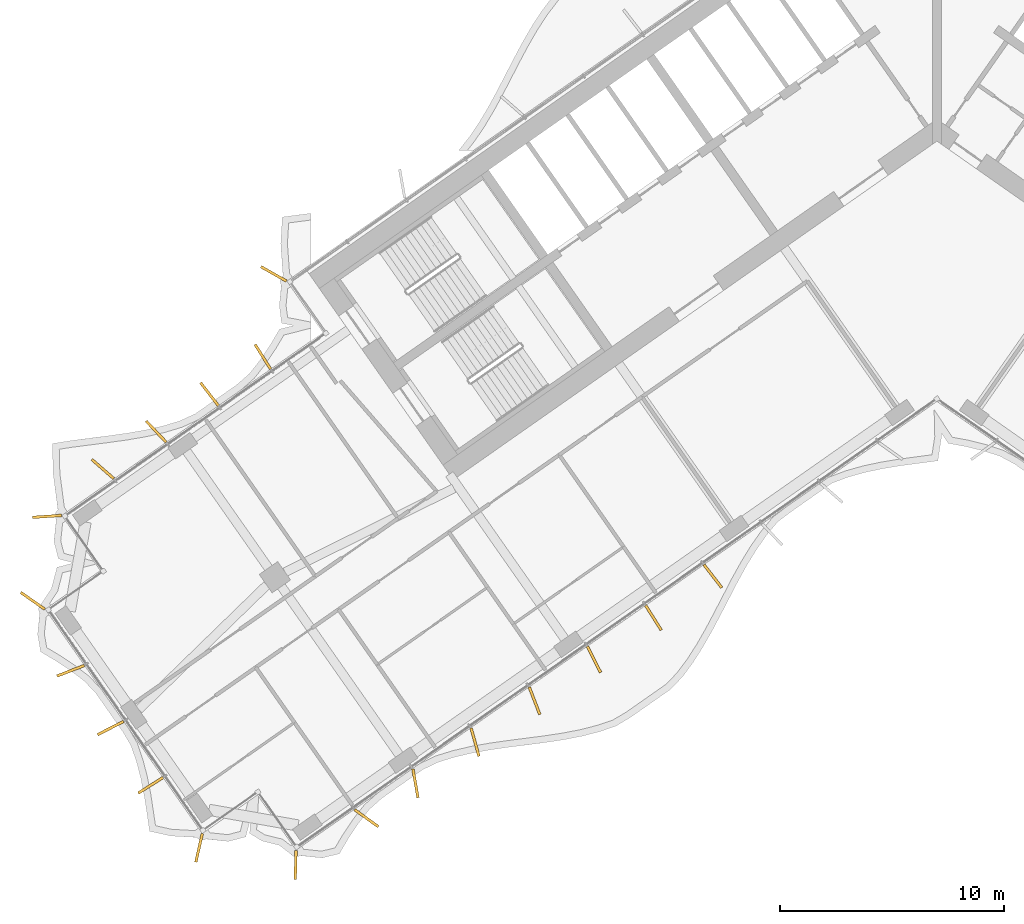
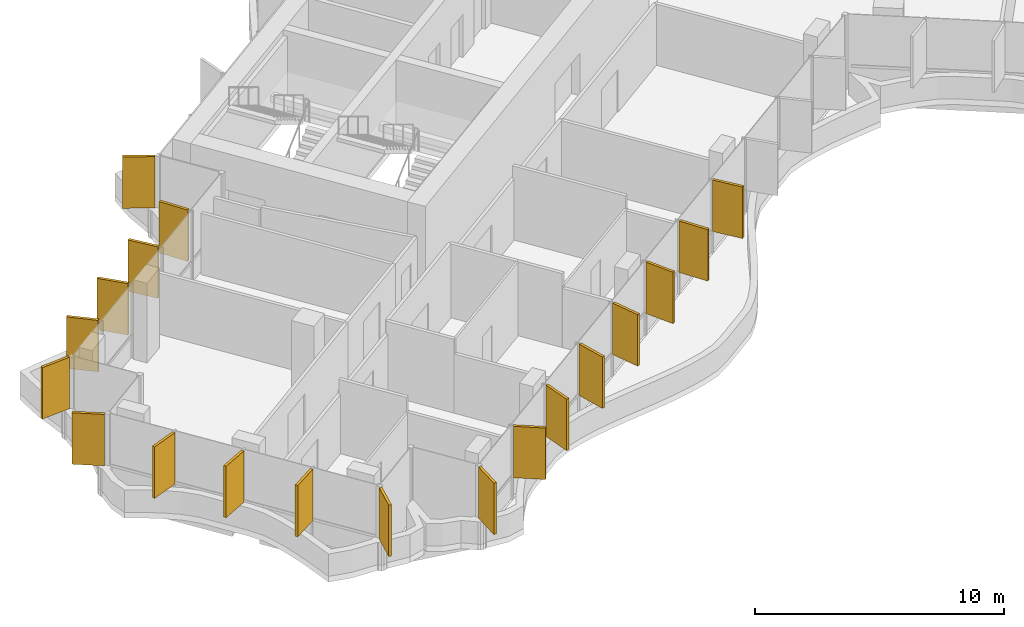
# One storey, part 17 of 21: 19 shading devices.
"""IFC4 building model written with IfcOpenShell, lengths in metres."""

from ifc_helpers import new_model, si_unit, direction, frame, origin, origin_2d, place, context, subcontext, project, spatial, rectangle, extrude, material, layer, layer_set, type_object, element, save


model = new_model("IFC4")

# Units and contexts
model_context = context("Model", 3, precision=1e-05, world=origin(), true_north=direction((0.0, 1.0)))
body_context = subcontext(model_context, "Body", "Model", "MODEL_VIEW")
ifc_project = project(units=[si_unit("LENGTHUNIT", "METRE"), si_unit("AREAUNIT", "SQUARE_METRE"), si_unit("VOLUMEUNIT", "CUBIC_METRE"), si_unit("PLANEANGLEUNIT", "RADIAN"), si_unit("MASSUNIT", "GRAM", prefix="KILO")], contexts=[model_context])

# Site, building, storey
site_placement = place(None, origin())
site = spatial("IfcSite", under=ifc_project, at=site_placement, CompositionType="ELEMENT")
building_placement = place(site_placement, origin())
building = spatial("IfcBuilding", under=site, at=building_placement, Name="Tel Ilan Convention Tower", CompositionType="ELEMENT")
storey_placement = place(building_placement, frame((0.0, 0.0, 139.800048828125)))
storey = spatial("IfcBuildingStorey", under=building, at=storey_placement, Name="L31", CompositionType="ELEMENT", Elevation=139.800048828125)

# Shading devices
ifc_material = material(Name="Aluminium, bronze anodised", Category="aluminium")
ifc_layer = layer(ifc_material, 0.1201171875)
ifc_layer_set = layer_set([ifc_layer], Name="FIN BRONZE 1300x120")
shading_device_type = type_object("IfcShadingDeviceType", Name="FIN BRONZE 1300x120", PredefinedType="USERDEFINED", material=ifc_layer_set)
for number, where, z_axis, x_axis, name in (
    (1, (-29.5439453125, -7.13623046875, 1.099853515625), (0.0, 0.0, 1.0), (-0.870832754082, 0.491579408049, 0.0), "FIN"),
    (2, (-30.027099609375, -10.829833984375, 1.099853515625), (0.0, 0.0, 1.0), (-0.533204432798, 0.845986425922, 0.0), "FIN"),
    (3, (-32.405029296875, -12.494873046875, 1.099853515625), (0.0, 0.0, 1.0), (-0.612600545196, 0.790392669516, 0.0), "FIN"),
    (4, (-34.78271484375, -14.159912109375, 1.099853515625), (0.0, 0.0, 1.0), (-0.686241637865, 0.727373641577, 0.0), "FIN"),
    (5, (-37.156005859375, -15.829833984375, 1.099853515625), (0.0, 0.0, 1.0), (-0.753435896329, 0.657521368568, 0.0), "FIN"),
    (6, (-39.64697265625, -17.939208984375, 1.099853515625), (0.0, 0.0, 1.0), (-0.997697449973, -0.067821812994, 0.0), "FIN"),
    (7, (-40.2783203125, -21.698486328125, 1.099853515625), (0.0, 0.0, 1.0), (-0.819152044289, 0.573576436351, 0.0), "FIN"),
    (8, (-38.58984375, -24.816162109375, 1.099853515625), (0.0, 0.0, 1.0), (-0.932883704733, -0.360177724803, 0.0), "FIN"),
    (9, (-36.810302734375, -27.368896484375, 1.099853515625), (0.0, 0.0, 1.0), (-0.893632640321, -0.448799180206, 0.0), "FIN"),
    (10, (-35.025146484375, -29.9189453125, 1.099853515625), (0.0, 0.0, 1.0), (-0.845986425922, -0.533204432798, 0.0), "FIN"),
    (11, (-32.867919921875, -32.70556640625, 1.099853515625), (0.0, 0.0, 1.0), (-0.221170268371, -0.975235208752, 0.0), "FIN"),
    (12, (-28.56591796875, -33.4638671875, 1.099853515625), (0.0, 0.0, 1.0), (-0.029084718749, -0.999576950082, 0.0), "FIN"),
    (13, (-25.41064453125, -31.3828125, 1.099853515625), (0.0, 0.0, 1.0), (0.813552070258, -0.581492071294, 0.0), "FIN"),
    (14, (-23.228515625, -29.832275390625, 1.099853515625), (0.0, 0.0, 1.0), (0.173648177667, -0.984807753012, 0.0), "FIN"),
    (15, (-20.574951171875, -27.996826171875, 1.099853515625), (0.0, 0.0, 1.0), (0.268172612768, -0.963370878614, 0.0), "FIN"),
    (16, (-17.92333984375, -26.155517578125, 1.099853515625), (0.0, 0.0, 1.0), (0.360177724803, -0.932883704733, 0.0), "FIN"),
    (17, (-15.27392578125, -24.30810546875, 1.099853515625), (0.0, 0.0, 1.0), (0.448799180206, -0.893632640321, 0.0), "FIN"),
    (18, (-12.62744140625, -22.455322265625, 1.099853515625), (0.0, 0.0, 1.0), (0.533204432798, -0.845986425922, 0.0), "FIN"),
    (19, (-9.980712890625, -20.602294921875, 1.099853515625), (0.0, 0.0, 1.0), (0.612600545196, -0.790392669516, 0.0), "FIN"),
):
    element("IfcShadingDevice", number, at=place(storey_placement, frame(where, z_axis=z_axis, x_axis=x_axis)), inside=storey, type_object=shading_device_type, Name=name, ObjectType="FIN", PredefinedType="USERDEFINED", context=body_context, shape_type="SweptSolid", body=[
        extrude(rectangle(XDim=1.300048828125, YDim=0.1201171875, at=origin_2d()), origin(), (0.0, 0.0, 1.0), 2.52001953125),
    ])

save(model, "model.ifc")
